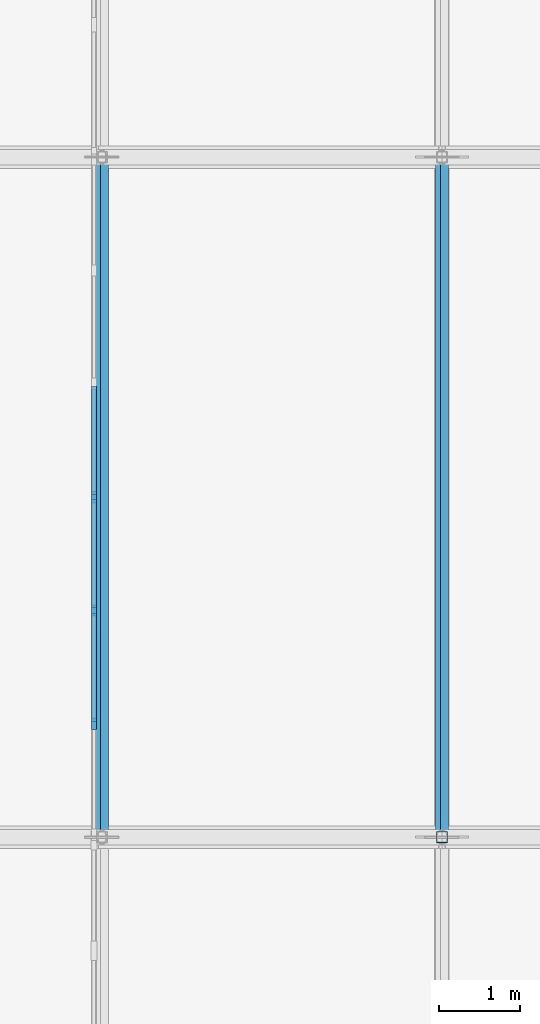
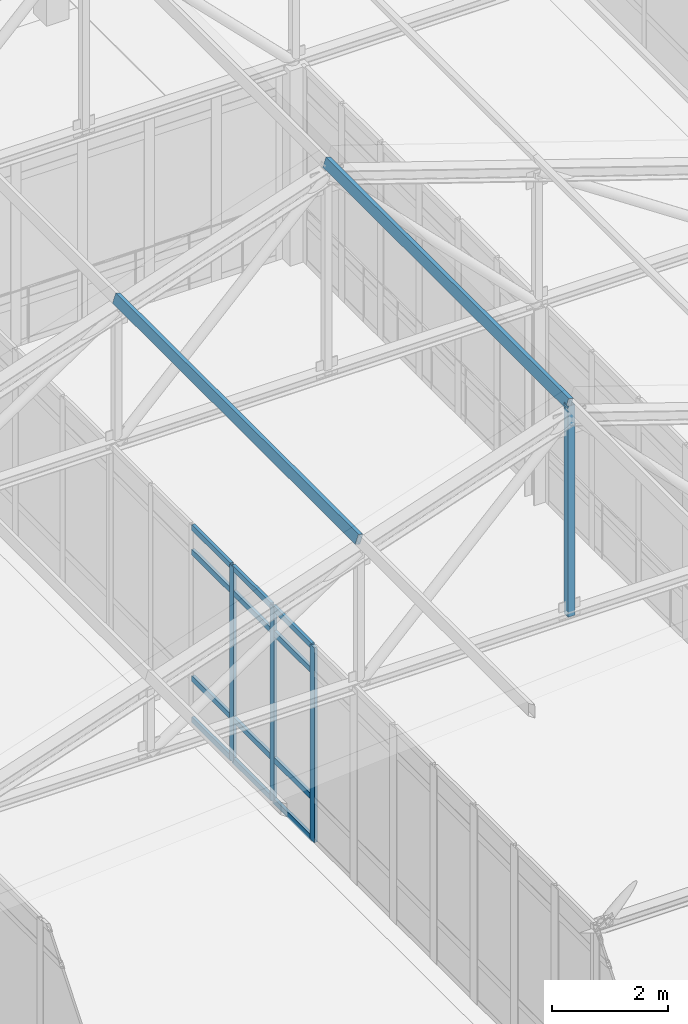
# One storey, part 54 of 192: 18 members, 1 element without a shape of its own.
"""IFC4 building model written with IfcOpenShell, lengths in metres."""

import ifcopenshell
import ifcopenshell.guid

model = None  # the IFC model being written
_history = None  # IfcOwnerHistory: only IFC2X3 demands one
_inside = {}  # id of a spatial element -> (the spatial element, [elements in it])
_under = {}  # id of a project, library or spatial element -> (it, [spatial elements below it])
_declared = {}  # id of a project -> (the project, [libraries it declares])
_typed = {}  # id of a type object -> (the type object, [elements of that type])
_made_of = {}  # id of a material, layer set ... -> (it, [elements and type objects made of it])


def new_model(schema):
    """Start an empty IFC model of exactly this schema.

    Asked for "IFC4X3", IfcOpenShell would pick the latest addendum, in which some entities
    have other attributes; the version numbers below select the first issue.
    IFC2X3 requires an IfcOwnerHistory on every rooted entity: one is made here for all.
    """
    global model, _history
    if schema == "IFC4X3":
        model = ifcopenshell.file(schema_version=(4, 3, 0, 0))
    else:
        model = ifcopenshell.file(schema=schema)
    _inside.clear()
    _under.clear()
    _declared.clear()
    _typed.clear()
    _made_of.clear()
    _history = None
    if model.schema == "IFC2X3":
        org = make("IfcOrganization", Name="unknown")
        user = make(
            "IfcPersonAndOrganization",
            ThePerson=make("IfcPerson", FamilyName="unknown"),
            TheOrganization=org,
        )
        app = make(
            "IfcApplication",
            ApplicationDeveloper=org,
            Version="unknown",
            ApplicationFullName="unknown",
            ApplicationIdentifier="unknown",
        )
        _history = make(
            "IfcOwnerHistory",
            OwningUser=user,
            OwningApplication=app,
            ChangeAction="ADDED",
            CreationDate=0,
        )
    return model


def make(cls, **values):
    """One entity of the class cls with the attributes given. An attribute that is None is left unset."""
    return model.create_entity(
        cls, **{name: value for name, value in values.items() if value is not None}
    )


def rooted(cls, **values):
    """An entity with a GlobalId (a new one), such as an element, a storey or a relation."""
    return make(cls, GlobalId=ifcopenshell.guid.new(), OwnerHistory=_history, **values)


def si_unit(unit_type, name, prefix=None):
    """IfcSIUnit, for example si_unit("LENGTHUNIT", "METRE", prefix="MILLI")."""
    return make("IfcSIUnit", UnitType=unit_type, Prefix=prefix, Name=name)


def assignment(units):
    """IfcUnitAssignment: the units of a project."""
    return None if units is None else make("IfcUnitAssignment", Units=units)


def point(xyz):
    """IfcCartesianPoint."""
    return None if xyz is None else make("IfcCartesianPoint", Coordinates=xyz)


def direction(xyz):
    """IfcDirection."""
    return None if xyz is None else make("IfcDirection", DirectionRatios=xyz)


def frame(location, z_axis=None, x_axis=None):
    """IfcAxis2Placement3D, a coordinate frame: its origin and axes. An axis left out is left unset."""
    return make(
        "IfcAxis2Placement3D",
        Location=point(location),
        Axis=direction(z_axis),
        RefDirection=direction(x_axis),
    )


def frame_2d(location, x_axis=None):
    """IfcAxis2Placement2D, a coordinate frame in the plane: its origin and x axis."""
    return make(
        "IfcAxis2Placement2D", Location=point(location), RefDirection=direction(x_axis)
    )


def origin():
    """The frame at (0, 0, 0) with its axes left unset."""
    return frame((0.0, 0.0, 0.0))


def origin_2d():
    """The frame at (0, 0) in the plane with its x axis left unset."""
    return frame_2d((0.0, 0.0))


def place(relative_to, where):
    """IfcLocalPlacement: puts the frame where relative to a parent placement (None: the world)."""
    return make(
        "IfcLocalPlacement", PlacementRelTo=relative_to, RelativePlacement=where
    )


def context(
    kind, dimensions, precision=None, world=None, true_north=None, identifier=None
):
    """IfcGeometricRepresentationContext, for example the 3D "Model" context."""
    return make(
        "IfcGeometricRepresentationContext",
        ContextIdentifier=identifier,
        ContextType=kind,
        CoordinateSpaceDimension=dimensions,
        Precision=precision,
        WorldCoordinateSystem=world,
        TrueNorth=true_north,
    )


def subcontext(parent, identifier, kind, view, scale=None):
    """IfcGeometricRepresentationSubContext, for example "Body" below "Model"."""
    return make(
        "IfcGeometricRepresentationSubContext",
        ContextIdentifier=identifier,
        ContextType=kind,
        ParentContext=parent,
        TargetScale=scale,
        TargetView=view,
    )


def project(units=None, contexts=None):
    """IfcProject with its units and contexts."""
    return rooted(
        "IfcProject",
        Name="project",
        RepresentationContexts=contexts,
        UnitsInContext=assignment(units),
    )


def spatial(cls, under=None, at=None, **own):
    """A site, building, storey or space (cls), placed at a placement, below another one or the project."""
    s = rooted(cls, ObjectPlacement=at, **own)
    if under is not None:
        _under.setdefault(under.id(), (under, []))[1].append(s)
    return s


def profile(cls, at=None, kind="AREA", **sizes):
    """A parametric profile (cls). Its sizes go by their IFC names, for example OverallWidth=200.0."""
    return make(cls, ProfileType=kind, Position=at, **sizes)


def rectangle(**sizes):
    """IfcRectangleProfileDef."""
    return profile("IfcRectangleProfileDef", **sizes)


def hollow_rectangle(**sizes):
    """IfcRectangleHollowProfileDef."""
    return profile("IfcRectangleHollowProfileDef", **sizes)


def extrude(swept, where, along, depth):
    """IfcExtrudedAreaSolid: the profile swept, set in the frame where, extruded along a direction by depth."""
    return make(
        "IfcExtrudedAreaSolid",
        SweptArea=swept,
        Position=where,
        ExtrudedDirection=direction(along),
        Depth=depth,
    )


def shape(context_of_items, identifier, shape_type, items):
    """IfcShapeRepresentation: the items that make up one representation, for example the "Body"."""
    return make(
        "IfcShapeRepresentation",
        ContextOfItems=context_of_items,
        RepresentationIdentifier=identifier,
        RepresentationType=shape_type,
        Items=items,
    )


def material(Name=None, Category=None):
    """IfcMaterial."""
    return make("IfcMaterial", Name=Name, Category=Category)


def layer(
    of_material, thickness, ventilated=None, Name=None, Category=None, Priority=None
):
    """IfcMaterialLayer: one layer of a wall or slab, of a material (None: an air gap)."""
    return make(
        "IfcMaterialLayer",
        Material=of_material,
        LayerThickness=thickness,
        IsVentilated=ventilated,
        Name=Name,
        Category=Category,
        Priority=Priority,
    )


def layer_set(layers, Name=None):
    """IfcMaterialLayerSet."""
    return make("IfcMaterialLayerSet", MaterialLayers=layers, LayerSetName=Name)


def material_profile(
    of_material, cross_section, Name=None, Category=None, Priority=None
):
    """IfcMaterialProfile: a cross section and its material."""
    return make(
        "IfcMaterialProfile",
        Name=Name,
        Material=of_material,
        Profile=cross_section,
        Priority=Priority,
        Category=Category,
    )


def profile_set(profiles, Name=None, composite=None):
    """IfcMaterialProfileSet."""
    return make(
        "IfcMaterialProfileSet",
        Name=Name,
        MaterialProfiles=profiles,
        CompositeProfile=composite,
    )


def made_of(thing, what):
    """Note that an element or type object is made of a material, layer set ...; save() writes the relation."""
    if what is not None:
        _made_of.setdefault(what.id(), (what, []))[1].append(thing)
    return thing


def type_object(cls, material=None, **own):
    """A type object (cls), such as IfcWallType, which elements share."""
    return made_of(rooted(cls, **own), material)


def element(
    cls,
    number,
    at=None,
    inside=None,
    cuts=None,
    type_object=None,
    material=None,
    context=None,
    identifier="Body",
    shape_type=None,
    held_by="IfcProductDefinitionShape",
    body=None,
    shapes=None,
    **own,
):
    """One element of the class cls, such as IfcWall. Its Tag is "e" and its number.

    at: its placement. inside: the storey or other place that contains it. cuts: it is an
    opening in that element (IfcRelVoidsElement). A single representation is given by context,
    identifier, shape_type and body (its items); several are given by shapes. held_by: the class
    of the entity that holds the representations. save() writes the other relations.
    """
    e = rooted(cls, Tag="e%d" % number, ObjectPlacement=at, **own)
    if body is not None:
        shapes = [shape(context, identifier, shape_type, body)]
    if shapes is not None:
        e.Representation = make(held_by, Representations=shapes)
    if inside is not None:
        _inside.setdefault(inside.id(), (inside, []))[1].append(e)
    if cuts is not None:
        rooted(
            "IfcRelVoidsElement", RelatingBuildingElement=cuts, RelatedOpeningElement=e
        )
    if type_object is not None:
        _typed.setdefault(type_object.id(), (type_object, []))[1].append(e)
    return made_of(e, material)


def aggregate(whole, parts):
    """IfcRelAggregates: a whole, such as a stair, and the parts it consists of."""
    return rooted("IfcRelAggregates", RelatingObject=whole, RelatedObjects=parts)


def save(model, path):
    """Write the relations noted so far, then the file.

    IfcRelAggregates (storeys below a building ...), IfcRelContainedInSpatialStructure (elements
    in a storey), IfcRelDefinesByType, IfcRelAssociatesMaterial and IfcRelDeclares: one each for
    every whole, place, type object, material and project.
    """
    for whole, parts in _under.values():
        aggregate(whole, parts)
    for where, things in _inside.values():
        rooted(
            "IfcRelContainedInSpatialStructure",
            RelatedElements=things,
            RelatingStructure=where,
        )
    for kind, things in _typed.values():
        rooted("IfcRelDefinesByType", RelatedObjects=things, RelatingType=kind)
    for what, things in _made_of.values():
        rooted("IfcRelAssociatesMaterial", RelatedObjects=things, RelatingMaterial=what)
    for by, libraries in _declared.values():
        rooted("IfcRelDeclares", RelatingContext=by, RelatedDefinitions=libraries)
    model.write(path)


model = new_model("IFC4")

# Units and contexts
model_context = context("Model", 3, precision=1e-05, world=origin(), true_north=direction((0.0, 1.0)))
body_context = subcontext(model_context, "Body", "Model", "MODEL_VIEW")
ifc_project = project(units=[si_unit("LENGTHUNIT", "METRE"), si_unit("AREAUNIT", "SQUARE_METRE"), si_unit("VOLUMEUNIT", "CUBIC_METRE"), si_unit("PLANEANGLEUNIT", "RADIAN"), si_unit("MASSUNIT", "GRAM", prefix="KILO")], contexts=[model_context])

# Site, building, storey
site_placement = place(None, origin())
site = spatial("IfcSite", under=ifc_project, at=site_placement, CompositionType="ELEMENT")
building_placement = place(site_placement, origin())
building = spatial("IfcBuilding", under=site, at=building_placement, Name="Kveldsbrygga Polytechnic", CompositionType="ELEMENT")
storey_placement = place(building_placement, frame((0.0, 0.0, 5.43994140625)))
storey = spatial("IfcBuildingStorey", under=building, at=storey_placement, Name="L01", CompositionType="ELEMENT", Elevation=5.43994140625)

# Curtain wall, members
ifc_material_1 = material(Name="Anodised aluminium AW-6060", Category="aluminium")
ifc_layer = layer(ifc_material_1, 0.179931640625)
ifc_layer_set = layer_set([ifc_layer], Name="Anodised aluminium AW-6060")
curtain_wall_type = type_object("IfcCurtainWallType", Name="CW-CONC-A", PredefinedType="USERDEFINED", material=ifc_layer_set)
curtain_wall_placement = place(storey_placement, origin())
curtain_wall = element("IfcCurtainWall", 1, at=curtain_wall_placement, inside=storey, type_object=curtain_wall_type, Name="Curtain Wall CW-L01-Y-07-07", ObjectType="UNITISED CURTAIN WALL", PredefinedType="USERDEFINED")
ifc_material_profile_1 = material_profile(ifc_material_1, rectangle(XDim=0.06005859375, YDim=0.139892578125, at=origin_2d()), Name="ALU 60x140")
ifc_profile_set_1 = profile_set([ifc_material_profile_1], Name="Anodised aluminium AW-6060")
member_type_1 = type_object("IfcMemberType", Name="CW-MUL-140", PredefinedType="MULLION", material=ifc_profile_set_1)
member_1_placement = place(storey_placement, frame((58.699951171875, 60.199951171875, 0.0), z_axis=(0.0, 0.0, 1.0), x_axis=(-1.0, 0.0, 0.0)))
member_1 = element("IfcMember", 2, at=member_1_placement, type_object=member_type_1, Name="CW-01 mullion 2", PredefinedType="MULLION", context=body_context, shape_type="SweptSolid", body=[
    extrude(rectangle(XDim=0.06005859375, YDim=0.139892578125, at=origin_2d()), origin(), (0.0, 0.0, 1.0), 4.1201171875),
])
member_2_placement = place(storey_placement, frame((58.699951171875, 61.60009765625, 0.0), z_axis=(0.0, 0.0, 1.0), x_axis=(-1.0, 0.0, 0.0)))
member_2 = element("IfcMember", 3, at=member_2_placement, type_object=member_type_1, Name="CW-01 mullion 3", PredefinedType="MULLION", context=body_context, shape_type="SweptSolid", body=[
    extrude(rectangle(XDim=0.06005859375, YDim=0.139892578125, at=origin_2d()), origin(), (0.0, 0.0, 1.0), 4.1201171875),
])
member_3_placement = place(storey_placement, frame((58.699951171875, 63.0, 0.0), z_axis=(0.0, 0.0, 1.0), x_axis=(-1.0, 0.0, 0.0)))
member_3 = element("IfcMember", 4, at=member_3_placement, type_object=member_type_1, Name="CW-01 mullion 4", PredefinedType="MULLION", context=body_context, shape_type="SweptSolid", body=[
    extrude(rectangle(XDim=0.06005859375, YDim=0.139892578125, at=origin_2d()), origin(), (0.0, 0.0, 1.0), 4.1201171875),
])
ifc_material_profile_2 = material_profile(ifc_material_1, rectangle(XDim=0.06005859375, YDim=0.1201171875, at=origin_2d()), Name="ALU 60x120")
ifc_profile_set_2 = profile_set([ifc_material_profile_2], Name="Anodised aluminium AW-6060")
member_type_2 = type_object("IfcMemberType", Name="CW-TRN-120", PredefinedType="USERDEFINED", material=ifc_profile_set_2)
member_4_placement = place(storey_placement, frame((58.699951171875, 60.22998046875, 0.030029296875), z_axis=(0.0, 1.0, 0.0), x_axis=(-1.0, 0.0, 0.0)))
member_4 = element("IfcMember", 5, at=member_4_placement, type_object=member_type_2, Name="CW-01 transom 2.1", ObjectType="TRANSOM", PredefinedType="USERDEFINED", context=body_context, shape_type="SweptSolid", body=[
    extrude(rectangle(XDim=0.06005859375, YDim=0.1201171875, at=origin_2d()), origin(), (0.0, 0.0, 1.0), 1.340087890625),
])
member_5_placement = place(storey_placement, frame((58.699951171875, 60.22998046875, 0.900146484375), z_axis=(0.0, 1.0, 0.0), x_axis=(-1.0, 0.0, 0.0)))
member_5 = element("IfcMember", 6, at=member_5_placement, type_object=member_type_2, Name="CW-01 transom 2.2", ObjectType="TRANSOM", PredefinedType="USERDEFINED", context=body_context, shape_type="SweptSolid", body=[
    extrude(rectangle(XDim=0.06005859375, YDim=0.1201171875, at=origin_2d()), origin(), (0.0, 0.0, 1.0), 1.340087890625),
])
member_6_placement = place(storey_placement, frame((58.699951171875, 60.22998046875, 3.570068359375), z_axis=(0.0, 1.0, 0.0), x_axis=(-1.0, 0.0, 0.0)))
member_6 = element("IfcMember", 7, at=member_6_placement, type_object=member_type_2, Name="CW-01 transom 2.3", ObjectType="TRANSOM", PredefinedType="USERDEFINED", context=body_context, shape_type="SweptSolid", body=[
    extrude(rectangle(XDim=0.06005859375, YDim=0.1201171875, at=origin_2d()), origin(), (0.0, 0.0, 1.0), 1.340087890625),
])
member_7_placement = place(storey_placement, frame((58.699951171875, 60.22998046875, 4.090087890625), z_axis=(0.0, 1.0, 0.0), x_axis=(-1.0, 0.0, 0.0)))
member_7 = element("IfcMember", 8, at=member_7_placement, type_object=member_type_2, Name="CW-01 transom 2.4", ObjectType="TRANSOM", PredefinedType="USERDEFINED", context=body_context, shape_type="SweptSolid", body=[
    extrude(rectangle(XDim=0.06005859375, YDim=0.1201171875, at=origin_2d()), origin(), (0.0, 0.0, 1.0), 1.340087890625),
])
member_8_placement = place(storey_placement, frame((58.699951171875, 61.6298828125, 0.030029296875), z_axis=(0.0, 1.0, 0.0), x_axis=(-1.0, 0.0, 0.0)))
member_8 = element("IfcMember", 9, at=member_8_placement, type_object=member_type_2, Name="CW-01 transom 3.1", ObjectType="TRANSOM", PredefinedType="USERDEFINED", context=body_context, shape_type="SweptSolid", body=[
    extrude(rectangle(XDim=0.06005859375, YDim=0.1201171875, at=origin_2d()), origin(), (0.0, 0.0, 1.0), 1.340087890625),
])
member_9_placement = place(storey_placement, frame((58.699951171875, 61.6298828125, 0.900146484375), z_axis=(0.0, 1.0, 0.0), x_axis=(-1.0, 0.0, 0.0)))
member_9 = element("IfcMember", 10, at=member_9_placement, type_object=member_type_2, Name="CW-01 transom 3.2", ObjectType="TRANSOM", PredefinedType="USERDEFINED", context=body_context, shape_type="SweptSolid", body=[
    extrude(rectangle(XDim=0.06005859375, YDim=0.1201171875, at=origin_2d()), origin(), (0.0, 0.0, 1.0), 1.340087890625),
])
member_10_placement = place(storey_placement, frame((58.699951171875, 61.6298828125, 3.570068359375), z_axis=(0.0, 1.0, 0.0), x_axis=(-1.0, 0.0, 0.0)))
member_10 = element("IfcMember", 11, at=member_10_placement, type_object=member_type_2, Name="CW-01 transom 3.3", ObjectType="TRANSOM", PredefinedType="USERDEFINED", context=body_context, shape_type="SweptSolid", body=[
    extrude(rectangle(XDim=0.06005859375, YDim=0.1201171875, at=origin_2d()), origin(), (0.0, 0.0, 1.0), 1.340087890625),
])
member_11_placement = place(storey_placement, frame((58.699951171875, 61.6298828125, 4.090087890625), z_axis=(0.0, 1.0, 0.0), x_axis=(-1.0, 0.0, 0.0)))
member_11 = element("IfcMember", 12, at=member_11_placement, type_object=member_type_2, Name="CW-01 transom 3.4", ObjectType="TRANSOM", PredefinedType="USERDEFINED", context=body_context, shape_type="SweptSolid", body=[
    extrude(rectangle(XDim=0.06005859375, YDim=0.1201171875, at=origin_2d()), origin(), (0.0, 0.0, 1.0), 1.340087890625),
])
member_12_placement = place(storey_placement, frame((58.699951171875, 63.030029296875, 0.030029296875), z_axis=(0.0, 1.0, 0.0), x_axis=(-1.0, 0.0, 0.0)))
member_12 = element("IfcMember", 13, at=member_12_placement, type_object=member_type_2, Name="CW-01 transom 4.1", ObjectType="TRANSOM", PredefinedType="USERDEFINED", context=body_context, shape_type="SweptSolid", body=[
    extrude(rectangle(XDim=0.06005859375, YDim=0.1201171875, at=origin_2d()), origin(), (0.0, 0.0, 1.0), 1.340087890625),
])
member_13_placement = place(storey_placement, frame((58.699951171875, 63.030029296875, 0.900146484375), z_axis=(0.0, 1.0, 0.0), x_axis=(-1.0, 0.0, 0.0)))
member_13 = element("IfcMember", 14, at=member_13_placement, type_object=member_type_2, Name="CW-01 transom 4.2", ObjectType="TRANSOM", PredefinedType="USERDEFINED", context=body_context, shape_type="SweptSolid", body=[
    extrude(rectangle(XDim=0.06005859375, YDim=0.1201171875, at=origin_2d()), origin(), (0.0, 0.0, 1.0), 1.340087890625),
])
member_14_placement = place(storey_placement, frame((58.699951171875, 63.030029296875, 3.570068359375), z_axis=(0.0, 1.0, 0.0), x_axis=(-1.0, 0.0, 0.0)))
member_14 = element("IfcMember", 15, at=member_14_placement, type_object=member_type_2, Name="CW-01 transom 4.3", ObjectType="TRANSOM", PredefinedType="USERDEFINED", context=body_context, shape_type="SweptSolid", body=[
    extrude(rectangle(XDim=0.06005859375, YDim=0.1201171875, at=origin_2d()), origin(), (0.0, 0.0, 1.0), 1.340087890625),
])
member_15_placement = place(storey_placement, frame((58.699951171875, 63.030029296875, 4.090087890625), z_axis=(0.0, 1.0, 0.0), x_axis=(-1.0, 0.0, 0.0)))
member_15 = element("IfcMember", 16, at=member_15_placement, type_object=member_type_2, Name="CW-01 transom 4.4", ObjectType="TRANSOM", PredefinedType="USERDEFINED", context=body_context, shape_type="SweptSolid", body=[
    extrude(rectangle(XDim=0.06005859375, YDim=0.1201171875, at=origin_2d()), origin(), (0.0, 0.0, 1.0), 1.340087890625),
])
aggregate(curtain_wall, [member_1, member_2, member_3, member_4, member_5, member_6, member_7, member_8, member_9, member_10, member_11, member_12, member_13, member_14, member_15])

# Members
ifc_material_2 = material(Name="Steel S355", Category="steel")
ifc_material_profile_3 = material_profile(ifc_material_2, hollow_rectangle(XDim=0.10009765625, YDim=0.199951171875, WallThickness=0.010009765625, at=origin_2d()), Name="RHS 200x100x10.0")
ifc_profile_set_3 = profile_set([ifc_material_profile_3], Name="Steel S355")
member_type_3 = type_object("IfcMemberType", Name="PRL-RHS200", PredefinedType="PURLIN", material=ifc_profile_set_3)
for number, where, z_axis, x_axis, name in (
    (17, (58.800048828125, 58.800048828125, 7.173095703125), (0.0, 1.0, 0.0), (-0.948683567514, 0.0, 0.316226957624), "Roof Purlin V5C-PRL-7-2"),
    (18, (63.0, 58.800048828125, 8.572998046875), (0.0, 1.0, 0.0), (-0.948683567514, 0.0, 0.316226957624), "Roof Purlin V5C-PRL-7-3"),
):
    element("IfcMember", number, at=place(storey_placement, frame(where, z_axis=z_axis, x_axis=x_axis)), inside=storey, type_object=member_type_3, Name=name, PredefinedType="PURLIN", context=body_context, shape_type="SweptSolid", body=[
        extrude(hollow_rectangle(XDim=0.10009765625, YDim=0.199951171875, WallThickness=0.010009765625, at=origin_2d()), origin(), (0.0, 0.0, 1.0), 8.39990234375),
    ])
ifc_material_profile_4 = material_profile(ifc_material_2, hollow_rectangle(XDim=0.139892578125, YDim=0.139892578125, WallThickness=0.008056640625, at=origin_2d()), Name="SHS 140x140x8.0")
ifc_profile_set_4 = profile_set([ifc_material_profile_4], Name="Steel S355")
member_type_4 = type_object("IfcMemberType", Name="TR-POST-SHS140", PredefinedType="STRUT", material=ifc_profile_set_4)
member_16_placement = place(storey_placement, frame((63.0, 58.800048828125, 4.1201171875), z_axis=(0.0, 0.0, 1.0), x_axis=(1.0, 0.0, 0.0)))
element("IfcMember", 19, at=member_16_placement, inside=storey, type_object=member_type_4, Name="Truss Vertical V5C-T07-VT-3", PredefinedType="STRUT", context=body_context, shape_type="SweptSolid", body=[
    extrude(hollow_rectangle(XDim=0.139892578125, YDim=0.139892578125, WallThickness=0.008056640625, at=origin_2d()), origin(), (0.0, 0.0, 1.0), 4.452880859375),
])

save(model, "model.ifc")
